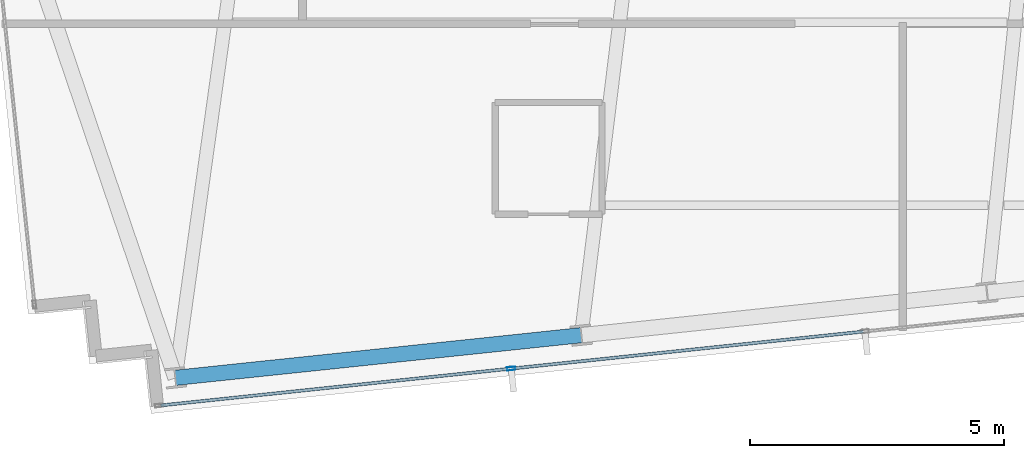
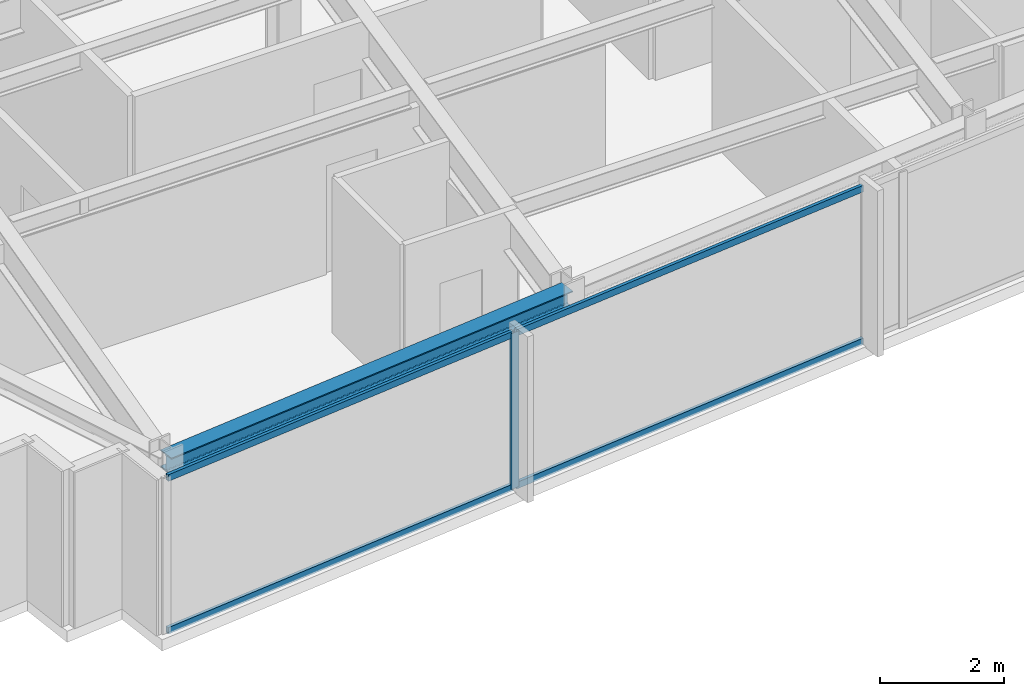
# One storey, part 3 of 32: 5 members, 1 beam, 1 element without a shape of its own.
"""IFC4 building model written with IfcOpenShell, lengths in metres."""

from ifc_helpers import new_model, si_unit, direction, frame, origin, origin_2d, place, context, subcontext, project, spatial, hollow_rectangle, i_section, extrude, material, material_profile, profile_set, type_object, element, aggregate, save


model = new_model("IFC4")

# Units and contexts
model_context = context("Model", 3, precision=1e-05, world=origin(), true_north=direction((0.0, 1.0)))
body_context = subcontext(model_context, "Body", "Model", "MODEL_VIEW")
ifc_project = project(units=[si_unit("LENGTHUNIT", "METRE"), si_unit("AREAUNIT", "SQUARE_METRE"), si_unit("VOLUMEUNIT", "CUBIC_METRE"), si_unit("PLANEANGLEUNIT", "RADIAN"), si_unit("MASSUNIT", "GRAM", prefix="KILO")], contexts=[model_context])

# Site, building, storey
site_placement = place(None, origin())
site = spatial("IfcSite", under=ifc_project, at=site_placement, CompositionType="ELEMENT")
building_placement = place(site_placement, origin())
building = spatial("IfcBuilding", under=site, at=building_placement, Name="Yelkora Congress Tower", CompositionType="ELEMENT")
storey_placement = place(building_placement, frame((0.0, 0.0, 214.39990234375)))
storey = spatial("IfcBuildingStorey", under=building, at=storey_placement, Name="L59", CompositionType="ELEMENT", Elevation=214.39990234375)

# Beam
ifc_material_1 = material(Name="Steel S355J2", Category="steel")
ifc_material_profile_1 = material_profile(ifc_material_1, i_section(OverallWidth=0.300048828125, OverallDepth=0.340087890625, WebThickness=0.011962890625, FlangeThickness=0.021484375, FilletRadius=0.027099609375, at=origin_2d()), Name="HEB 340")
ifc_profile_set_1 = profile_set([ifc_material_profile_1], Name="Steel S355J2")
beam_type = type_object("IfcBeamType", Name="BM-SPAN-HEB340", PredefinedType="SPANDREL", material=ifc_profile_set_1)
beam_placement = place(storey_placement, frame((21.299072265625, 12.678466796875, 2.91015625), z_axis=(0.994520097542, 0.104545567032, 0.0), x_axis=(-0.104545567032, 0.994520097542, 0.0)))
element("IfcBeam", 1, at=beam_placement, inside=storey, type_object=beam_type, Name="L59 Perimeter Beam 3", PredefinedType="SPANDREL", context=body_context, shape_type="SweptSolid", body=[
    extrude(i_section(OverallWidth=0.300048828125, OverallDepth=0.340087890625, WebThickness=0.011962890625, FlangeThickness=0.021484375, FilletRadius=0.027099609375, at=origin_2d()), origin(), (0.0, 0.0, 1.0), 8.033203125),
])

# Curtain wall, members
ifc_material_2 = material(Name="Anodised aluminium and insulated glass", Category="aluminium")
curtain_wall_type = type_object("IfcCurtainWallType", Name="CW-SYS-B4", PredefinedType="NOTDEFINED", material=ifc_material_2)
curtain_wall_placement = place(storey_placement, origin())
curtain_wall = element("IfcCurtainWall", 2, at=curtain_wall_placement, inside=storey, type_object=curtain_wall_type, Name="L59 Unitised Curtain Wall 20", PredefinedType="NOTDEFINED")
ifc_material_3 = material(Name="Anodised aluminium 6063-T6", Category="aluminium")
ifc_material_profile_2 = material_profile(ifc_material_3, hollow_rectangle(XDim=0.06494140625, YDim=0.159912109375, WallThickness=0.00390625, at=origin_2d()), Name="ALU 65x160x4")
ifc_profile_set_2 = profile_set([ifc_material_profile_2], Name="Anodised aluminium 6063-T6")
member_type_1 = type_object("IfcMemberType", Name="MEM-ML-B4", PredefinedType="MULLION", material=ifc_profile_set_2)
member_1_placement = place(storey_placement, frame((27.9091796875, 12.860595703125, 0.0), z_axis=(0.0, 0.0, 1.0), x_axis=(0.104526664994, -0.994522084373, 0.0)))
member_1 = element("IfcMember", 3, at=member_1_placement, type_object=member_type_1, Name="CW-B4 mullion 7", PredefinedType="MULLION", context=body_context, shape_type="SweptSolid", body=[
    extrude(hollow_rectangle(XDim=0.06494140625, YDim=0.159912109375, WallThickness=0.00390625, at=origin_2d()), origin(), (0.0, 0.0, 1.0), 3.080078125),
])
ifc_material_profile_3 = material_profile(ifc_material_3, hollow_rectangle(XDim=0.06005859375, YDim=0.1298828125, WallThickness=0.00390625, at=origin_2d()), Name="ALU 60x130x4")
ifc_profile_set_3 = profile_set([ifc_material_profile_3], Name="Anodised aluminium 6063-T6")
member_type_2 = type_object("IfcMemberType", Name="MEM-TR-B4", PredefinedType="USERDEFINED", material=ifc_profile_set_3)
member_2_placement = place(storey_placement, frame((34.84130859375, 13.589111328125, 0.030029296875), z_axis=(-0.994519904787, -0.104547400648, 0.0), x_axis=(0.104547400648, -0.994519904787, 0.0)))
member_2 = element("IfcMember", 4, at=member_2_placement, type_object=member_type_2, Name="CW-B4 transom 6.1", ObjectType="TRANSOM", PredefinedType="USERDEFINED", context=body_context, shape_type="SweptSolid", body=[
    extrude(hollow_rectangle(XDim=0.06005859375, YDim=0.1298828125, WallThickness=0.00390625, at=origin_2d()), origin(), (0.0, 0.0, 1.0), 6.93798828125),
])
member_3_placement = place(storey_placement, frame((34.84130859375, 13.589111328125, 3.050048828125), z_axis=(-0.994519904787, -0.104547400648, 0.0), x_axis=(0.104547400648, -0.994519904787, 0.0)))
member_3 = element("IfcMember", 5, at=member_3_placement, type_object=member_type_2, Name="CW-B4 transom 6.2", ObjectType="TRANSOM", PredefinedType="USERDEFINED", context=body_context, shape_type="SweptSolid", body=[
    extrude(hollow_rectangle(XDim=0.06005859375, YDim=0.1298828125, WallThickness=0.00390625, at=origin_2d()), origin(), (0.0, 0.0, 1.0), 6.93798828125),
])
member_4_placement = place(storey_placement, frame((27.876708984375, 12.857177734375, 0.030029296875), z_axis=(-0.994519973075, -0.104546751053, 0.0), x_axis=(0.104546751053, -0.994519973075, 0.0)))
member_4 = element("IfcMember", 6, at=member_4_placement, type_object=member_type_2, Name="CW-B4 transom 7.1", ObjectType="TRANSOM", PredefinedType="USERDEFINED", context=body_context, shape_type="SweptSolid", body=[
    extrude(hollow_rectangle(XDim=0.06005859375, YDim=0.1298828125, WallThickness=0.00390625, at=origin_2d()), origin(), (0.0, 0.0, 1.0), 6.9052734375),
])
member_5_placement = place(storey_placement, frame((27.876708984375, 12.857177734375, 3.050048828125), z_axis=(-0.994519973075, -0.104546751053, 0.0), x_axis=(0.104546751053, -0.994519973075, 0.0)))
member_5 = element("IfcMember", 7, at=member_5_placement, type_object=member_type_2, Name="CW-B4 transom 7.2", ObjectType="TRANSOM", PredefinedType="USERDEFINED", context=body_context, shape_type="SweptSolid", body=[
    extrude(hollow_rectangle(XDim=0.06005859375, YDim=0.1298828125, WallThickness=0.00390625, at=origin_2d()), origin(), (0.0, 0.0, 1.0), 6.9052734375),
])
aggregate(curtain_wall, [member_1, member_2, member_3, member_4, member_5])

save(model, "model.ifc")
